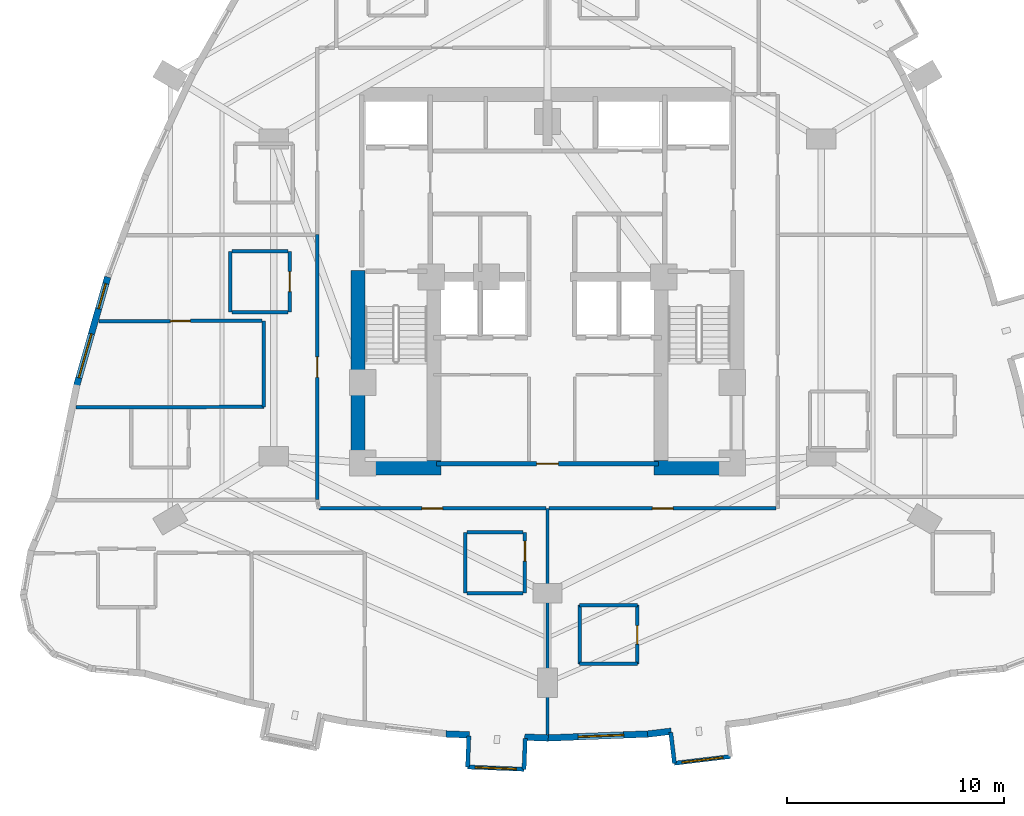
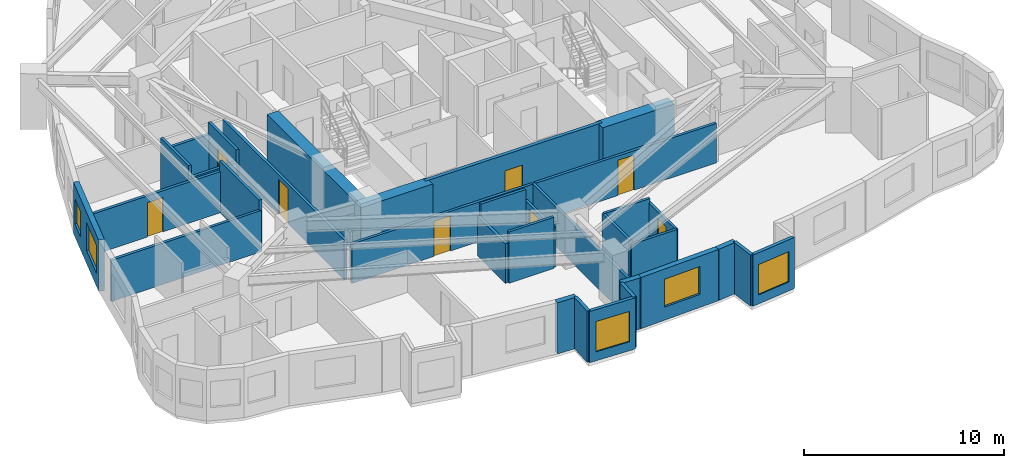
# One storey, part 8 of 14: 33 walls, 8 doors, 5 windows, 13 openings.
"""IFC4 building model written with IfcOpenShell, lengths in metres."""

import ifcopenshell
import ifcopenshell.guid

model = None  # the IFC model being written
_history = None  # IfcOwnerHistory: only IFC2X3 demands one
_inside = {}  # id of a spatial element -> (the spatial element, [elements in it])
_under = {}  # id of a project, library or spatial element -> (it, [spatial elements below it])
_declared = {}  # id of a project -> (the project, [libraries it declares])
_typed = {}  # id of a type object -> (the type object, [elements of that type])
_made_of = {}  # id of a material, layer set ... -> (it, [elements and type objects made of it])


def new_model(schema):
    """Start an empty IFC model of exactly this schema.

    Asked for "IFC4X3", IfcOpenShell would pick the latest addendum, in which some entities
    have other attributes; the version numbers below select the first issue.
    IFC2X3 requires an IfcOwnerHistory on every rooted entity: one is made here for all.
    """
    global model, _history
    if schema == "IFC4X3":
        model = ifcopenshell.file(schema_version=(4, 3, 0, 0))
    else:
        model = ifcopenshell.file(schema=schema)
    _inside.clear()
    _under.clear()
    _declared.clear()
    _typed.clear()
    _made_of.clear()
    _history = None
    if model.schema == "IFC2X3":
        org = make("IfcOrganization", Name="unknown")
        user = make(
            "IfcPersonAndOrganization",
            ThePerson=make("IfcPerson", FamilyName="unknown"),
            TheOrganization=org,
        )
        app = make(
            "IfcApplication",
            ApplicationDeveloper=org,
            Version="unknown",
            ApplicationFullName="unknown",
            ApplicationIdentifier="unknown",
        )
        _history = make(
            "IfcOwnerHistory",
            OwningUser=user,
            OwningApplication=app,
            ChangeAction="ADDED",
            CreationDate=0,
        )
    return model


def make(cls, **values):
    """One entity of the class cls with the attributes given. An attribute that is None is left unset."""
    return model.create_entity(
        cls, **{name: value for name, value in values.items() if value is not None}
    )


def rooted(cls, **values):
    """An entity with a GlobalId (a new one), such as an element, a storey or a relation."""
    return make(cls, GlobalId=ifcopenshell.guid.new(), OwnerHistory=_history, **values)


def si_unit(unit_type, name, prefix=None):
    """IfcSIUnit, for example si_unit("LENGTHUNIT", "METRE", prefix="MILLI")."""
    return make("IfcSIUnit", UnitType=unit_type, Prefix=prefix, Name=name)


def assignment(units):
    """IfcUnitAssignment: the units of a project."""
    return None if units is None else make("IfcUnitAssignment", Units=units)


def point(xyz):
    """IfcCartesianPoint."""
    return None if xyz is None else make("IfcCartesianPoint", Coordinates=xyz)


def direction(xyz):
    """IfcDirection."""
    return None if xyz is None else make("IfcDirection", DirectionRatios=xyz)


def frame(location, z_axis=None, x_axis=None):
    """IfcAxis2Placement3D, a coordinate frame: its origin and axes. An axis left out is left unset."""
    return make(
        "IfcAxis2Placement3D",
        Location=point(location),
        Axis=direction(z_axis),
        RefDirection=direction(x_axis),
    )


def frame_2d(location, x_axis=None):
    """IfcAxis2Placement2D, a coordinate frame in the plane: its origin and x axis."""
    return make(
        "IfcAxis2Placement2D", Location=point(location), RefDirection=direction(x_axis)
    )


def origin():
    """The frame at (0, 0, 0) with its axes left unset."""
    return frame((0.0, 0.0, 0.0))


def place(relative_to, where):
    """IfcLocalPlacement: puts the frame where relative to a parent placement (None: the world)."""
    return make(
        "IfcLocalPlacement", PlacementRelTo=relative_to, RelativePlacement=where
    )


def context(
    kind, dimensions, precision=None, world=None, true_north=None, identifier=None
):
    """IfcGeometricRepresentationContext, for example the 3D "Model" context."""
    return make(
        "IfcGeometricRepresentationContext",
        ContextIdentifier=identifier,
        ContextType=kind,
        CoordinateSpaceDimension=dimensions,
        Precision=precision,
        WorldCoordinateSystem=world,
        TrueNorth=true_north,
    )


def subcontext(parent, identifier, kind, view, scale=None):
    """IfcGeometricRepresentationSubContext, for example "Body" below "Model"."""
    return make(
        "IfcGeometricRepresentationSubContext",
        ContextIdentifier=identifier,
        ContextType=kind,
        ParentContext=parent,
        TargetScale=scale,
        TargetView=view,
    )


def project(units=None, contexts=None):
    """IfcProject with its units and contexts."""
    return rooted(
        "IfcProject",
        Name="project",
        RepresentationContexts=contexts,
        UnitsInContext=assignment(units),
    )


def spatial(cls, under=None, at=None, **own):
    """A site, building, storey or space (cls), placed at a placement, below another one or the project."""
    s = rooted(cls, ObjectPlacement=at, **own)
    if under is not None:
        _under.setdefault(under.id(), (under, []))[1].append(s)
    return s


def profile(cls, at=None, kind="AREA", **sizes):
    """A parametric profile (cls). Its sizes go by their IFC names, for example OverallWidth=200.0."""
    return make(cls, ProfileType=kind, Position=at, **sizes)


def rectangle(**sizes):
    """IfcRectangleProfileDef."""
    return profile("IfcRectangleProfileDef", **sizes)


def extrude(swept, where, along, depth):
    """IfcExtrudedAreaSolid: the profile swept, set in the frame where, extruded along a direction by depth."""
    return make(
        "IfcExtrudedAreaSolid",
        SweptArea=swept,
        Position=where,
        ExtrudedDirection=direction(along),
        Depth=depth,
    )


def shape(context_of_items, identifier, shape_type, items):
    """IfcShapeRepresentation: the items that make up one representation, for example the "Body"."""
    return make(
        "IfcShapeRepresentation",
        ContextOfItems=context_of_items,
        RepresentationIdentifier=identifier,
        RepresentationType=shape_type,
        Items=items,
    )


def material(Name=None, Category=None):
    """IfcMaterial."""
    return make("IfcMaterial", Name=Name, Category=Category)


def layer(
    of_material, thickness, ventilated=None, Name=None, Category=None, Priority=None
):
    """IfcMaterialLayer: one layer of a wall or slab, of a material (None: an air gap)."""
    return make(
        "IfcMaterialLayer",
        Material=of_material,
        LayerThickness=thickness,
        IsVentilated=ventilated,
        Name=Name,
        Category=Category,
        Priority=Priority,
    )


def layer_set(layers, Name=None):
    """IfcMaterialLayerSet."""
    return make("IfcMaterialLayerSet", MaterialLayers=layers, LayerSetName=Name)


def made_of(thing, what):
    """Note that an element or type object is made of a material, layer set ...; save() writes the relation."""
    if what is not None:
        _made_of.setdefault(what.id(), (what, []))[1].append(thing)
    return thing


def type_object(cls, material=None, **own):
    """A type object (cls), such as IfcWallType, which elements share."""
    return made_of(rooted(cls, **own), material)


def element(
    cls,
    number,
    at=None,
    inside=None,
    cuts=None,
    type_object=None,
    material=None,
    context=None,
    identifier="Body",
    shape_type=None,
    held_by="IfcProductDefinitionShape",
    body=None,
    shapes=None,
    **own,
):
    """One element of the class cls, such as IfcWall. Its Tag is "e" and its number.

    at: its placement. inside: the storey or other place that contains it. cuts: it is an
    opening in that element (IfcRelVoidsElement). A single representation is given by context,
    identifier, shape_type and body (its items); several are given by shapes. held_by: the class
    of the entity that holds the representations. save() writes the other relations.
    """
    e = rooted(cls, Tag="e%d" % number, ObjectPlacement=at, **own)
    if body is not None:
        shapes = [shape(context, identifier, shape_type, body)]
    if shapes is not None:
        e.Representation = make(held_by, Representations=shapes)
    if inside is not None:
        _inside.setdefault(inside.id(), (inside, []))[1].append(e)
    if cuts is not None:
        rooted(
            "IfcRelVoidsElement", RelatingBuildingElement=cuts, RelatedOpeningElement=e
        )
    if type_object is not None:
        _typed.setdefault(type_object.id(), (type_object, []))[1].append(e)
    return made_of(e, material)


def fill(opening, filler):
    """IfcRelFillsElement: the door or window that sits in an opening."""
    return rooted(
        "IfcRelFillsElement",
        RelatingOpeningElement=opening,
        RelatedBuildingElement=filler,
    )


def aggregate(whole, parts):
    """IfcRelAggregates: a whole, such as a stair, and the parts it consists of."""
    return rooted("IfcRelAggregates", RelatingObject=whole, RelatedObjects=parts)


def save(model, path):
    """Write the relations noted so far, then the file.

    IfcRelAggregates (storeys below a building ...), IfcRelContainedInSpatialStructure (elements
    in a storey), IfcRelDefinesByType, IfcRelAssociatesMaterial and IfcRelDeclares: one each for
    every whole, place, type object, material and project.
    """
    for whole, parts in _under.values():
        aggregate(whole, parts)
    for where, things in _inside.values():
        rooted(
            "IfcRelContainedInSpatialStructure",
            RelatedElements=things,
            RelatingStructure=where,
        )
    for kind, things in _typed.values():
        rooted("IfcRelDefinesByType", RelatedObjects=things, RelatingType=kind)
    for what, things in _made_of.values():
        rooted("IfcRelAssociatesMaterial", RelatedObjects=things, RelatingMaterial=what)
    for by, libraries in _declared.values():
        rooted("IfcRelDeclares", RelatingContext=by, RelatedDefinitions=libraries)
    model.write(path)


model = new_model("IFC4")

# Units and contexts
model_context = context("Model", 3, precision=1e-05, world=origin(), true_north=direction((0.0, 1.0)))
body_context = subcontext(model_context, "Body", "Model", "MODEL_VIEW")
ifc_project = project(units=[si_unit("LENGTHUNIT", "METRE"), si_unit("AREAUNIT", "SQUARE_METRE"), si_unit("VOLUMEUNIT", "CUBIC_METRE"), si_unit("PLANEANGLEUNIT", "RADIAN"), si_unit("MASSUNIT", "GRAM", prefix="KILO")], contexts=[model_context])

# Site, building, storey
site_placement = place(None, origin())
site = spatial("IfcSite", under=ifc_project, at=site_placement, CompositionType="ELEMENT")
building_placement = place(site_placement, origin())
building = spatial("IfcBuilding", under=site, at=building_placement, Name="Miruveldt Soraemaru", CompositionType="ELEMENT")
storey_placement = place(building_placement, frame((0.0, 0.0, 80.199951171875)))
storey = spatial("IfcBuildingStorey", under=building, at=storey_placement, Name="L22", CompositionType="ELEMENT", Elevation=80.199951171875)

# Walls
ifc_material_1 = material(Name="White powder-coated aluminium EN AW-6060 T6", Category="aluminium")
ifc_layer_1 = layer(ifc_material_1, 0.18994140625, Name="White powder-coated aluminium EN AW-6060 T6", Category="aluminium")
ifc_layer_set_1 = layer_set([ifc_layer_1], Name="White powder-coated aluminium EN AW-6060 T6")
wall_type_1 = type_object("IfcWallType", Name="WALL-BAY-ALU190", PredefinedType="SOLIDWALL", material=ifc_layer_set_1)
for number, where, z_axis, x_axis, name in (
    (1, (40.380615234375, 22.927734375, 0.0), (0.0, 0.0, 1.0), (-0.039920142234, -0.999202873417, 0.0), "L22 Bay Window Side Cheek 2L"),
    (2, (42.921630859375, 21.39990234375, 0.0), (0.0, 0.0, 1.0), (0.039920142234, 0.999202873417, 0.0), "L22 Bay Window Side Cheek 2R"),
):
    element("IfcWall", number, at=place(storey_placement, frame(where, z_axis=z_axis, x_axis=x_axis)), inside=storey, type_object=wall_type_1, Name=name, PredefinedType="SOLIDWALL", context=body_context, shape_type="SweptSolid", body=[
        extrude(rectangle(XDim=1.425048828125, YDim=0.18994140625, at=frame_2d((0.71240234375, 0.0))), origin(), (0.0, 0.0, 1.0), 3.125),
    ])

# Wall, opening, window
wall_1_placement = place(storey_placement, frame((40.32373046875, 21.50390625, 0.0), z_axis=(0.0, 0.0, 1.0), x_axis=(0.999199608139, -0.040001788654, 0.0)))
wall_1 = element("IfcWall", 3, at=wall_1_placement, inside=storey, type_object=wall_type_1, Name="L22 Bay Window Front Frame 2", PredefinedType="SOLIDWALL", context=body_context, shape_type="SweptSolid", body=[
    extrude(rectangle(XDim=2.60009765625, YDim=0.18994140625, at=frame_2d((1.300048828125, 0.0))), origin(), (0.0, 0.0, 1.0), 3.125),
])
opening_1_placement = place(wall_1_placement, frame((0.35009765625, 0.0, 0.550048828125)))
opening_1 = element("IfcOpeningElement", 4, at=opening_1_placement, cuts=wall_1, Name="Opening WN-6", PredefinedType="OPENING", context=body_context, shape_type="SweptSolid", body=[
    extrude(rectangle(XDim=1.89990234375, YDim=1.85009765625, at=frame_2d((0.949951171875, 0.925048828125))), frame((0.0, 0.10498046875, 0.0), z_axis=(0.0, -1.0, 0.0), x_axis=(1.0, 0.0, 0.0)), (0.0, 0.0, 1.0), 0.2099609375),
])
ifc_material_2 = material(Name="Triple low-e insulated glazing", Category="glass")
window_type_1 = type_object("IfcWindowType", Name="WIN-BAYW-1900x1850", PartitioningType="SINGLE_PANEL", PredefinedType="WINDOW", material=ifc_material_2)
window_1_placement = place(opening_1_placement, origin())
window_1 = element("IfcWindow", 5, at=window_1_placement, inside=storey, type_object=window_type_1, Name="L22 Projecting Bay Window 2", OverallHeight=1.85009765625, OverallWidth=1.89990234375, PartitioningType="SINGLE_PANEL", PredefinedType="WINDOW", context=body_context, shape_type="SweptSolid", body=[
    extrude(rectangle(XDim=1.89990234375, YDim=1.85009765625, at=frame_2d((0.949951171875, 0.925048828125))), frame((0.0, 0.030029296875, 0.0), z_axis=(0.0, -1.0, 0.0), x_axis=(1.0, 0.0, 0.0)), (0.0, 0.0, 1.0), 0.06005859375),
])
fill(opening_1, window_1)

# Wall
wall_2_placement = place(storey_placement, frame((49.67041015625, 23.09228515625, 0.0), z_axis=(0.0, 0.0, 1.0), x_axis=(0.119057405757, -0.992887372331, 0.0)))
element("IfcWall", 6, at=wall_2_placement, inside=storey, type_object=wall_type_1, Name="L22 Bay Window Side Cheek 3L", PredefinedType="SOLIDWALL", context=body_context, shape_type="SweptSolid", body=[
    extrude(rectangle(XDim=1.42529296875, YDim=0.18994140625, at=frame_2d((0.712646484375, 0.0))), origin(), (0.0, 0.0, 1.0), 3.125),
])

# Wall, opening, window
wall_3_placement = place(storey_placement, frame((49.840087890625, 21.67724609375, 0.0), z_axis=(0.0, 0.0, 1.0), x_axis=(0.992874172121, 0.119167438232, 0.0)))
wall_3 = element("IfcWall", 7, at=wall_3_placement, inside=storey, type_object=wall_type_1, Name="L22 Bay Window Front Frame 3", PredefinedType="SOLIDWALL", context=body_context, shape_type="SweptSolid", body=[
    extrude(rectangle(XDim=2.599853515625, YDim=0.18994140625, at=frame_2d((1.2998046875, 0.0))), origin(), (0.0, 0.0, 1.0), 3.125),
])
opening_2_placement = place(wall_3_placement, frame((0.35009765625, 0.0, 0.550048828125)))
opening_2 = element("IfcOpeningElement", 8, at=opening_2_placement, cuts=wall_3, Name="Opening WN-6", PredefinedType="OPENING", context=body_context, shape_type="SweptSolid", body=[
    extrude(rectangle(XDim=1.89990234375, YDim=1.85009765625, at=frame_2d((0.949951171875, 0.925048828125))), frame((0.0, 0.10498046875, 0.0), z_axis=(0.0, -1.0, 0.0), x_axis=(1.0, 0.0, 0.0)), (0.0, 0.0, 1.0), 0.2099609375),
])
window_2_placement = place(opening_2_placement, origin())
window_2 = element("IfcWindow", 9, at=window_2_placement, inside=storey, type_object=window_type_1, Name="L22 Projecting Bay Window 3", OverallHeight=1.85009765625, OverallWidth=1.89990234375, PartitioningType="SINGLE_PANEL", PredefinedType="WINDOW", context=body_context, shape_type="SweptSolid", body=[
    extrude(rectangle(XDim=1.89990234375, YDim=1.85009765625, at=frame_2d((0.949951171875, 0.925048828125))), frame((0.0, 0.030029296875, 0.0), z_axis=(0.0, -1.0, 0.0), x_axis=(1.0, 0.0, 0.0)), (0.0, 0.0, 1.0), 0.06005859375),
])
fill(opening_2, window_2)

# Walls
ifc_material_3 = material(Name="Concrete C80/95 (80 MPa)", Category="concrete")
ifc_layer_2 = layer(ifc_material_3, 0.64990234375, Name="Concrete C80/95 (80 MPa)", Category="concrete")
ifc_layer_set_2 = layer_set([ifc_layer_2], Name="Concrete C80/95 (80 MPa)")
wall_type_2 = type_object("IfcWallType", Name="WALL-CW-650", PredefinedType="SHEAR", material=ifc_layer_set_2)
for number, where, z_axis, x_axis, name in (
    (10, (34.949951171875, 35.27490234375, 0.0), (0.0, 0.0, 1.0), (1.0, 0.0, 0.0), "L22 Central Core Shear Wall S1"),
    (11, (48.89990234375, 35.27490234375, 0.0), (0.0, 0.0, 1.0), (1.0, 0.0, 0.0), "L22 Central Core Shear Wall S2"),
):
    element("IfcWall", number, at=place(storey_placement, frame(where, z_axis=z_axis, x_axis=x_axis)), inside=storey, type_object=wall_type_2, Name=name, PredefinedType="SHEAR", context=body_context, shape_type="SweptSolid", body=[
        extrude(rectangle(XDim=4.150146484375, YDim=0.64990234375, at=frame_2d((2.0751953125, 0.0))), origin(), (0.0, 0.0, 1.0), 3.125),
    ])
wall_4_placement = place(storey_placement, frame((35.27490234375, 34.949951171875, 0.0), z_axis=(0.0, 0.0, 1.0), x_axis=(0.0, 1.0, 0.0)))
element("IfcWall", 12, at=wall_4_placement, inside=storey, type_object=wall_type_2, Name="L22 Central Core Shear Wall W1", PredefinedType="SHEAR", context=body_context, shape_type="SweptSolid", body=[
    extrude(rectangle(XDim=9.400146484375, YDim=0.64990234375, at=frame_2d((4.7001953125, 0.0))), origin(), (0.0, 0.0, 1.0), 3.125),
])

# Wall, openings, windows
ifc_material_4 = material(Name="Precast concrete C45/55 (45 MPa)", Category="concrete")
ifc_layer_3 = layer(ifc_material_4, 0.300048828125, Name="Precast concrete C45/55 (45 MPa)", Category="concrete")
ifc_layer_set_3 = layer_set([ifc_layer_3], Name="Precast concrete C45/55 (45 MPa)")
wall_type_3 = type_object("IfcWallType", Name="WALL-EXT-PC300", PredefinedType="SOLIDWALL", material=ifc_layer_set_3)
wall_5_placement = place(storey_placement, frame((23.764404296875, 44.0498046875, 0.0), z_axis=(0.0, 0.0, 1.0), x_axis=(-0.274924595384, -0.961465790787, 0.0)))
wall_5 = element("IfcWall", 13, at=wall_5_placement, inside=storey, type_object=wall_type_3, Name="L22 Precast Concrete Facade Wall 13", PredefinedType="SOLIDWALL", context=body_context, shape_type="SweptSolid", body=[
    extrude(rectangle(XDim=5.2294921875, YDim=0.300048828125, at=frame_2d((2.61474609375, 0.0))), origin(), (0.0, 0.0, 1.0), 3.125),
])
opening_3_placement = place(wall_5_placement, frame((0.31591796875, 0.0, 0.780029296875)))
opening_3 = element("IfcOpeningElement", 14, at=opening_3_placement, cuts=wall_5, Name="Opening WN-4", PredefinedType="OPENING", context=body_context, shape_type="SweptSolid", body=[
    extrude(rectangle(XDim=1.199951171875, YDim=1.550048828125, at=frame_2d((0.60009765625, 0.77490234375))), frame((0.0, 0.16015625, 0.0), z_axis=(0.0, -1.0, 0.0), x_axis=(1.0, 0.0, 0.0)), (0.0, 0.0, 1.0), 0.320068359375),
])
opening_4_placement = place(wall_5_placement, frame((2.720947265625, 0.0, 0.800048828125)))
opening_4 = element("IfcOpeningElement", 15, at=opening_4_placement, cuts=wall_5, Name="Opening WN-1", PredefinedType="OPENING", context=body_context, shape_type="SweptSolid", body=[
    extrude(rectangle(XDim=2.10009765625, YDim=1.699951171875, at=frame_2d((1.050048828125, 0.85009765625))), frame((0.0, 0.16015625, 0.0), z_axis=(0.0, -1.0, 0.0), x_axis=(1.0, 0.0, 0.0)), (0.0, 0.0, 1.0), 0.320068359375),
])
window_type_2 = type_object("IfcWindowType", Name="WIN-PUNCH-1200x1550", PartitioningType="SINGLE_PANEL", PredefinedType="WINDOW", material=ifc_material_2)
window_3_placement = place(opening_3_placement, origin())
window_3 = element("IfcWindow", 16, at=window_3_placement, inside=storey, type_object=window_type_2, Name="L22 Punched Triple-Glazed Window 13.1", OverallHeight=1.550048828125, OverallWidth=1.199951171875, PartitioningType="SINGLE_PANEL", PredefinedType="WINDOW", context=body_context, shape_type="SweptSolid", body=[
    extrude(rectangle(XDim=1.199951171875, YDim=1.550048828125, at=frame_2d((0.60009765625, 0.77490234375))), frame((0.0, 0.030029296875, 0.0), z_axis=(0.0, -1.0, 0.0), x_axis=(1.0, 0.0, 0.0)), (0.0, 0.0, 1.0), 0.06005859375),
])
fill(opening_3, window_3)
window_type_3 = type_object("IfcWindowType", Name="WIN-PUNCH-2100x1700", PartitioningType="SINGLE_PANEL", PredefinedType="WINDOW", material=ifc_material_2)
window_4_placement = place(opening_4_placement, origin())
window_4 = element("IfcWindow", 17, at=window_4_placement, inside=storey, type_object=window_type_3, Name="L22 Punched Triple-Glazed Window 13.2", OverallHeight=1.699951171875, OverallWidth=2.10009765625, PartitioningType="SINGLE_PANEL", PredefinedType="WINDOW", context=body_context, shape_type="SweptSolid", body=[
    extrude(rectangle(XDim=2.10009765625, YDim=1.699951171875, at=frame_2d((1.050048828125, 0.85009765625))), frame((0.0, 0.030029296875, 0.0), z_axis=(0.0, -1.0, 0.0), x_axis=(1.0, 0.0, 0.0)), (0.0, 0.0, 1.0), 0.06005859375),
])
fill(opening_4, window_4)

# Walls
for number, where, z_axis, x_axis, name in (
    (18, (39.32861328125, 23.02490234375, 0.0), (0.0, 0.0, 1.0), (0.999197720713, -0.040048906617, 0.0), "L22 Precast Pier Wall 24A"),
    (19, (42.95068359375, 22.8798828125, 0.0), (0.0, 0.0, 1.0), (0.999206699072, -0.0398242706, 0.0), "L22 Precast Pier Wall 24B"),
):
    element("IfcWall", number, at=place(storey_placement, frame(where, z_axis=z_axis, x_axis=x_axis)), inside=storey, type_object=wall_type_3, Name=name, PredefinedType="SOLIDWALL", context=body_context, shape_type="SweptSolid", body=[
        extrude(rectangle(XDim=1.085205078125, YDim=0.300048828125, at=frame_2d((0.54248046875, 0.0))), origin(), (0.0, 0.0, 1.0), 3.125),
    ])

# Wall, opening, window
wall_6_placement = place(storey_placement, frame((43.965087890625, 22.836669921875, 0.0), z_axis=(0.0, 0.0, 1.0), x_axis=(0.999201124317, 0.039963898265, 0.0)))
wall_6 = element("IfcWall", 20, at=wall_6_placement, inside=storey, type_object=wall_type_3, Name="L22 Precast Concrete Facade Wall 25", PredefinedType="SOLIDWALL", context=body_context, shape_type="SweptSolid", body=[
    extrude(rectangle(XDim=4.7099609375, YDim=0.300048828125, at=frame_2d((2.35498046875, 0.0))), origin(), (0.0, 0.0, 1.0), 3.125),
])
opening_5_placement = place(wall_6_placement, frame((1.446044921875, 0.0, 0.800048828125)))
opening_5 = element("IfcOpeningElement", 21, at=opening_5_placement, cuts=wall_6, Name="Opening WN-1", PredefinedType="OPENING", context=body_context, shape_type="SweptSolid", body=[
    extrude(rectangle(XDim=2.10009765625, YDim=1.699951171875, at=frame_2d((1.050048828125, 0.85009765625))), frame((0.0, 0.16015625, 0.0), z_axis=(0.0, -1.0, 0.0), x_axis=(1.0, 0.0, 0.0)), (0.0, 0.0, 1.0), 0.320068359375),
])
window_5_placement = place(opening_5_placement, origin())
window_5 = element("IfcWindow", 22, at=window_5_placement, inside=storey, type_object=window_type_3, Name="L22 Punched Triple-Glazed Window 25.1", OverallHeight=1.699951171875, OverallWidth=2.10009765625, PartitioningType="SINGLE_PANEL", PredefinedType="WINDOW", context=body_context, shape_type="SweptSolid", body=[
    extrude(rectangle(XDim=2.10009765625, YDim=1.699951171875, at=frame_2d((1.050048828125, 0.85009765625))), frame((0.0, 0.030029296875, 0.0), z_axis=(0.0, -1.0, 0.0), x_axis=(1.0, 0.0, 0.0)), (0.0, 0.0, 1.0), 0.06005859375),
])
fill(opening_5, window_5)

# Wall
wall_7_placement = place(storey_placement, frame((48.6015625, 23.019287109375, 0.0), z_axis=(0.0, 0.0, 1.0), x_axis=(0.992870535119, 0.119197736946, 0.0)))
element("IfcWall", 23, at=wall_7_placement, inside=storey, type_object=wall_type_3, Name="L22 Precast Pier Wall 26A", PredefinedType="SOLIDWALL", context=body_context, shape_type="SweptSolid", body=[
    extrude(rectangle(XDim=1.099853515625, YDim=0.300048828125, at=frame_2d((0.5498046875, 0.0))), origin(), (0.0, 0.0, 1.0), 3.125),
])

# Wall, opening, door
ifc_material_5 = material(Name="Gypsum plasterboard lining", Category="gypsum")
ifc_layer_4 = layer(ifc_material_5, 0.14990234375, Name="Gypsum plasterboard lining", Category="gypsum")
ifc_layer_set_4 = layer_set([ifc_layer_4], Name="Gypsum plasterboard lining")
wall_type_4 = type_object("IfcWallType", Name="WALL-INT-PLUMB", PredefinedType="PLUMBINGWALL", material=ifc_layer_set_4)
wall_8_placement = place(storey_placement, frame((48.1298828125, 26.25, 0.0), z_axis=(0.0, 0.0, 1.0), x_axis=(0.0, 1.0, 0.0)))
wall_8 = element("IfcWall", 24, at=wall_8_placement, inside=storey, type_object=wall_type_4, Name="L22 Partition Wall 77", PredefinedType="PLUMBINGWALL", context=body_context, shape_type="SweptSolid", body=[
    extrude(rectangle(XDim=2.699951171875, YDim=0.14990234375, at=frame_2d((1.35009765625, 0.0))), origin(), (0.0, 0.0, 1.0), 2.512939453125),
])
opening_6_placement = place(wall_8_placement, frame((0.909912109375, 0.0, 0.0)))
opening_6 = element("IfcOpeningElement", 25, at=opening_6_placement, cuts=wall_8, Name="Opening FD3", PredefinedType="OPENING", context=body_context, shape_type="SweptSolid", body=[
    extrude(rectangle(XDim=0.85009765625, YDim=2.10009765625, at=frame_2d((0.425048828125, 1.050048828125))), frame((0.0, 0.0849609375, 0.0), z_axis=(0.0, -1.0, 0.0), x_axis=(1.0, 0.0, 0.0)), (0.0, 0.0, 1.0), 0.169921875),
])
ifc_material_6 = material(Name="Anodised aluminium EN AW-6063 T6", Category="aluminium")
door_type_1 = type_object("IfcDoorType", Name="DOOR-FD3-850", OperationType="NOTDEFINED", PredefinedType="DOOR", material=ifc_material_6)
door_1_placement = place(opening_6_placement, origin())
door_1 = element("IfcDoor", 26, at=door_1_placement, inside=storey, type_object=door_type_1, Name="L22 Unit CL07 BTH Door", OperationType="SINGLE_SWING_LEFT", OverallHeight=2.10009765625, OverallWidth=0.85009765625, PredefinedType="DOOR", context=body_context, shape_type="SweptSolid", body=[
    extrude(rectangle(XDim=0.85009765625, YDim=2.10009765625, at=frame_2d((0.425048828125, 1.050048828125))), frame((0.0, 0.02490234375, 0.0), z_axis=(0.0, -1.0, 0.0), x_axis=(1.0, 0.0, 0.0)), (0.0, 0.0, 1.0), 0.050048828125),
])
fill(opening_6, door_1)

# Walls
wall_9_placement = place(storey_placement, frame((45.47998046875, 28.949951171875, 0.0), z_axis=(0.0, 0.0, 1.0), x_axis=(0.0, -1.0, 0.0)))
element("IfcWall", 27, at=wall_9_placement, inside=storey, type_object=wall_type_4, Name="L22 Partition Wall 79", PredefinedType="PLUMBINGWALL", context=body_context, shape_type="SweptSolid", body=[
    extrude(rectangle(XDim=2.699951171875, YDim=0.14990234375, at=frame_2d((1.35009765625, 0.0))), origin(), (0.0, 0.0, 1.0), 2.762939453125),
])
wall_10_placement = place(storey_placement, frame((48.1298828125, 28.949951171875, 0.0), z_axis=(0.0, 0.0, 1.0), x_axis=(-1.0, 0.0, 0.0)))
element("IfcWall", 28, at=wall_10_placement, inside=storey, type_object=wall_type_4, Name="L22 Partition Wall 78", PredefinedType="PLUMBINGWALL", context=body_context, shape_type="SweptSolid", body=[
    extrude(rectangle(XDim=2.64990234375, YDim=0.14990234375, at=frame_2d((1.324951171875, 0.0))), origin(), (0.0, 0.0, 1.0), 2.762939453125),
])
wall_11_placement = place(storey_placement, frame((45.47998046875, 26.25, 0.0), z_axis=(0.0, 0.0, 1.0), x_axis=(1.0, 0.0, 0.0)))
element("IfcWall", 29, at=wall_11_placement, inside=storey, type_object=wall_type_4, Name="L22 Partition Wall 80", PredefinedType="PLUMBINGWALL", context=body_context, shape_type="SweptSolid", body=[
    extrude(rectangle(XDim=2.64990234375, YDim=0.14990234375, at=frame_2d((1.324951171875, 0.0))), origin(), (0.0, 0.0, 1.0), 2.512939453125),
])

# Wall, opening, door
ifc_material_7 = material(Name="Concrete C40/50 (40 MPa)", Category="concrete")
ifc_layer_5 = layer(ifc_material_7, 0.159912109375, Name="Concrete C40/50 (40 MPa)", Category="concrete")
ifc_layer_set_5 = layer_set([ifc_layer_5], Name="Concrete C40/50 (40 MPa)")
wall_type_5 = type_object("IfcWallType", Name="WALL-INT-RC160", PredefinedType="SOLIDWALL", material=ifc_layer_set_5)
wall_12_placement = place(storey_placement, frame((33.39990234375, 45.9970703125, 0.0), z_axis=(0.0, 0.0, 1.0), x_axis=(0.0, -1.0, 0.0)))
wall_12 = element("IfcWall", 30, at=wall_12_placement, inside=storey, type_object=wall_type_5, Name="L22 Partition Wall 10", PredefinedType="SOLIDWALL", context=body_context, shape_type="SweptSolid", body=[
    extrude(rectangle(XDim=12.190185546875, YDim=0.159912109375, at=frame_2d((6.09521484375, 0.0))), origin(), (0.0, 0.0, 1.0), 2.4130859375),
])
opening_7_placement = place(wall_12_placement, frame((5.6201171875, 0.0, 0.0)))
opening_7 = element("IfcOpeningElement", 31, at=opening_7_placement, cuts=wall_12, Name="Opening FD2", PredefinedType="OPENING", context=body_context, shape_type="SweptSolid", body=[
    extrude(rectangle(XDim=0.949951171875, YDim=2.14990234375, at=frame_2d((0.47509765625, 1.074951171875))), frame((0.0, 0.08984375, 0.0), z_axis=(0.0, -1.0, 0.0), x_axis=(1.0, 0.0, 0.0)), (0.0, 0.0, 1.0), 0.179931640625),
])
door_type_2 = type_object("IfcDoorType", Name="DOOR-FD2-950", OperationType="NOTDEFINED", PredefinedType="DOOR", material=ifc_material_6)
door_2_placement = place(opening_7_placement, origin())
door_2 = element("IfcDoor", 32, at=door_2_placement, inside=storey, type_object=door_type_2, Name="L22 Unit 2206 Entrance Fire Door", OperationType="SINGLE_SWING_RIGHT", OverallHeight=2.14990234375, OverallWidth=0.949951171875, PredefinedType="DOOR", context=body_context, shape_type="SweptSolid", body=[
    extrude(rectangle(XDim=0.949951171875, YDim=2.14990234375, at=frame_2d((0.47509765625, 1.074951171875))), frame((0.0, 0.02490234375, 0.0), z_axis=(0.0, -1.0, 0.0), x_axis=(1.0, 0.0, 0.0)), (0.0, 0.0, 1.0), 0.050048828125),
])
fill(opening_7, door_2)

wall_13_placement = place(storey_placement, frame((33.47998046875, 33.39990234375, 0.0), z_axis=(0.0, 0.0, 1.0), x_axis=(1.0, 0.0, 0.0)))
wall_13 = element("IfcWall", 33, at=wall_13_placement, inside=storey, type_object=wall_type_5, Name="L22 Partition Wall 9", PredefinedType="SOLIDWALL", context=body_context, shape_type="SweptSolid", body=[
    extrude(rectangle(XDim=10.43994140625, YDim=0.159912109375, at=frame_2d((5.219970703125, 0.0))), origin(), (0.0, 0.0, 1.0), 2.4130859375),
])
opening_8_placement = place(wall_13_placement, frame((4.7451171875, 0.0, 0.0)))
opening_8 = element("IfcOpeningElement", 34, at=opening_8_placement, cuts=wall_13, Name="Opening FD2", PredefinedType="OPENING", context=body_context, shape_type="SweptSolid", body=[
    extrude(rectangle(XDim=0.949951171875, YDim=2.14990234375, at=frame_2d((0.47509765625, 1.074951171875))), frame((0.0, 0.08984375, 0.0), z_axis=(0.0, -1.0, 0.0), x_axis=(1.0, 0.0, 0.0)), (0.0, 0.0, 1.0), 0.179931640625),
])
door_3_placement = place(opening_8_placement, origin())
door_3 = element("IfcDoor", 35, at=door_3_placement, inside=storey, type_object=door_type_2, Name="L22 Unit 2205 Entrance Fire Door", OperationType="SINGLE_SWING_RIGHT", OverallHeight=2.14990234375, OverallWidth=0.949951171875, PredefinedType="DOOR", context=body_context, shape_type="SweptSolid", body=[
    extrude(rectangle(XDim=0.949951171875, YDim=2.14990234375, at=frame_2d((0.47509765625, 1.074951171875))), frame((0.0, 0.02490234375, 0.0), z_axis=(0.0, -1.0, 0.0), x_axis=(1.0, 0.0, 0.0)), (0.0, 0.0, 1.0), 0.050048828125),
])
fill(opening_8, door_3)

wall_14_placement = place(storey_placement, frame((44.080078125, 33.39990234375, 0.0), z_axis=(0.0, 0.0, 1.0), x_axis=(1.0, 0.0, 0.0)))
wall_14 = element("IfcWall", 36, at=wall_14_placement, inside=storey, type_object=wall_type_5, Name="L22 Partition Wall 11", PredefinedType="SOLIDWALL", context=body_context, shape_type="SweptSolid", body=[
    extrude(rectangle(XDim=10.43994140625, YDim=0.159912109375, at=frame_2d((5.219970703125, 0.0))), origin(), (0.0, 0.0, 1.0), 2.4130859375),
])
opening_9_placement = place(wall_14_placement, frame((4.7451171875, 0.0, 0.0)))
opening_9 = element("IfcOpeningElement", 37, at=opening_9_placement, cuts=wall_14, Name="Opening FD2", PredefinedType="OPENING", context=body_context, shape_type="SweptSolid", body=[
    extrude(rectangle(XDim=0.949951171875, YDim=2.14990234375, at=frame_2d((0.47509765625, 1.074951171875))), frame((0.0, 0.08984375, 0.0), z_axis=(0.0, -1.0, 0.0), x_axis=(1.0, 0.0, 0.0)), (0.0, 0.0, 1.0), 0.179931640625),
])
door_4_placement = place(opening_9_placement, origin())
door_4 = element("IfcDoor", 38, at=door_4_placement, inside=storey, type_object=door_type_2, Name="L22 Unit CL07 Entrance Fire Door", OperationType="SINGLE_SWING_RIGHT", OverallHeight=2.14990234375, OverallWidth=0.949951171875, PredefinedType="DOOR", context=body_context, shape_type="SweptSolid", body=[
    extrude(rectangle(XDim=0.949951171875, YDim=2.14990234375, at=frame_2d((0.47509765625, 1.074951171875))), frame((0.0, 0.02490234375, 0.0), z_axis=(0.0, -1.0, 0.0), x_axis=(1.0, 0.0, 0.0)), (0.0, 0.0, 1.0), 0.050048828125),
])
fill(opening_9, door_4)

wall_15_placement = place(storey_placement, frame((23.35400390625, 42.012939453125, 0.0), z_axis=(0.0, 0.0, 1.0), x_axis=(0.999995338602, 0.003053321699, 0.0)))
wall_15 = element("IfcWall", 39, at=wall_15_placement, inside=storey, type_object=wall_type_5, Name="L22 Partition Wall 75", PredefinedType="SOLIDWALL", context=body_context, shape_type="SweptSolid", body=[
    extrude(rectangle(XDim=7.51611328125, YDim=0.159912109375, at=frame_2d((3.758056640625, 0.0))), origin(), (0.0, 0.0, 1.0), 2.512939453125),
])
opening_10_placement = place(wall_15_placement, frame((3.298095703125, 0.0, 0.0)))
opening_10 = element("IfcOpeningElement", 40, at=opening_10_placement, cuts=wall_15, Name="Opening D3A", PredefinedType="OPENING", context=body_context, shape_type="SweptSolid", body=[
    extrude(rectangle(XDim=0.919921875, YDim=2.10009765625, at=frame_2d((0.4599609375, 1.050048828125))), frame((0.0, 0.08984375, 0.0), z_axis=(0.0, -1.0, 0.0), x_axis=(1.0, 0.0, 0.0)), (0.0, 0.0, 1.0), 0.179931640625),
])
door_type_3 = type_object("IfcDoorType", Name="DOOR-INT-920", OperationType="NOTDEFINED", PredefinedType="DOOR", material=ifc_material_6)
door_5_placement = place(opening_10_placement, origin())
door_5 = element("IfcDoor", 41, at=door_5_placement, inside=storey, type_object=door_type_3, Name="L22 Unit 2206 BD1 Door", OperationType="SINGLE_SWING_LEFT", OverallHeight=2.10009765625, OverallWidth=0.919921875, PredefinedType="DOOR", context=body_context, shape_type="SweptSolid", body=[
    extrude(rectangle(XDim=0.919921875, YDim=2.10009765625, at=frame_2d((0.4599609375, 1.050048828125))), frame((0.0, 0.02490234375, 0.0), z_axis=(0.0, -1.0, 0.0), x_axis=(1.0, 0.0, 0.0)), (0.0, 0.0, 1.0), 0.050048828125),
])
fill(opening_10, door_5)

wall_16_placement = place(storey_placement, frame((32.14501953125, 42.43408203125, 0.0), z_axis=(0.0, 0.0, 1.0), x_axis=(0.0, 1.0, 0.0)))
wall_16 = element("IfcWall", 42, at=wall_16_placement, inside=storey, type_object=wall_type_5, Name="L22 Partition Wall 71", PredefinedType="SOLIDWALL", context=body_context, shape_type="SweptSolid", body=[
    extrude(rectangle(XDim=2.7998046875, YDim=0.159912109375, at=frame_2d((1.39990234375, 0.0))), origin(), (0.0, 0.0, 1.0), 3.125),
])
opening_11_placement = place(wall_16_placement, frame((0.93994140625, 0.0, 0.0)))
opening_11 = element("IfcOpeningElement", 43, at=opening_11_placement, cuts=wall_16, Name="Opening D3A", PredefinedType="OPENING", context=body_context, shape_type="SweptSolid", body=[
    extrude(rectangle(XDim=0.919921875, YDim=2.10009765625, at=frame_2d((0.4599609375, 1.050048828125))), frame((0.0, 0.08984375, 0.0), z_axis=(0.0, -1.0, 0.0), x_axis=(1.0, 0.0, 0.0)), (0.0, 0.0, 1.0), 0.179931640625),
])
door_6_placement = place(opening_11_placement, origin())
door_6 = element("IfcDoor", 44, at=door_6_placement, inside=storey, type_object=door_type_3, Name="L22 Unit 2206 KIT Door", OperationType="SINGLE_SWING_RIGHT", OverallHeight=2.10009765625, OverallWidth=0.919921875, PredefinedType="DOOR", context=body_context, shape_type="SweptSolid", body=[
    extrude(rectangle(XDim=0.919921875, YDim=2.10009765625, at=frame_2d((0.4599609375, 1.050048828125))), frame((0.0, 0.02490234375, 0.0), z_axis=(0.0, -1.0, 0.0), x_axis=(1.0, 0.0, 0.0)), (0.0, 0.0, 1.0), 0.050048828125),
])
fill(opening_11, door_6)

wall_17_placement = place(storey_placement, frame((42.964111328125, 29.5, 0.0), z_axis=(0.0, 0.0, 1.0), x_axis=(0.0, 1.0, 0.0)))
wall_17 = element("IfcWall", 45, at=wall_17_placement, inside=storey, type_object=wall_type_5, Name="L22 Partition Wall 52", PredefinedType="SOLIDWALL", context=body_context, shape_type="SweptSolid", body=[
    extrude(rectangle(XDim=2.800048828125, YDim=0.159912109375, at=frame_2d((1.39990234375, 0.0))), origin(), (0.0, 0.0, 1.0), 2.4130859375),
])
opening_12_placement = place(wall_17_placement, frame((1.47998046875, 0.0, 0.0)))
opening_12 = element("IfcOpeningElement", 46, at=opening_12_placement, cuts=wall_17, Name="Opening D3A", PredefinedType="OPENING", context=body_context, shape_type="SweptSolid", body=[
    extrude(rectangle(XDim=0.919921875, YDim=2.10009765625, at=frame_2d((0.4599609375, 1.050048828125))), frame((0.0, 0.08984375, 0.0), z_axis=(0.0, -1.0, 0.0), x_axis=(1.0, 0.0, 0.0)), (0.0, 0.0, 1.0), 0.179931640625),
])
door_7_placement = place(opening_12_placement, origin())
door_7 = element("IfcDoor", 47, at=door_7_placement, inside=storey, type_object=door_type_3, Name="L22 Unit 2205 KIT Door", OperationType="SINGLE_SWING_RIGHT", OverallHeight=2.10009765625, OverallWidth=0.919921875, PredefinedType="DOOR", context=body_context, shape_type="SweptSolid", body=[
    extrude(rectangle(XDim=0.919921875, YDim=2.10009765625, at=frame_2d((0.4599609375, 1.050048828125))), frame((0.0, 0.02490234375, 0.0), z_axis=(0.0, -1.0, 0.0), x_axis=(1.0, 0.0, 0.0)), (0.0, 0.0, 1.0), 0.050048828125),
])
fill(opening_12, door_7)

# Walls
wall_18_placement = place(storey_placement, frame((44.0, 23.0029296875, 0.0), z_axis=(0.0, 0.0, 1.0), x_axis=(0.0, 1.0, 0.0)))
element("IfcWall", 48, at=wall_18_placement, inside=storey, type_object=wall_type_5, Name="L22 Partition Wall 61", PredefinedType="SOLIDWALL", context=body_context, shape_type="SweptSolid", body=[
    extrude(rectangle(XDim=10.39697265625, YDim=0.159912109375, at=frame_2d((5.198486328125, 0.0))), origin(), (0.0, 0.0, 1.0), 2.4130859375),
])
wall_19_placement = place(storey_placement, frame((30.949951171875, 38.072998046875, 0.0), z_axis=(0.0, 0.0, 1.0), x_axis=(-0.999998048698, -0.001975499899, 0.0)))
element("IfcWall", 49, at=wall_19_placement, inside=storey, type_object=wall_type_5, Name="L22 Partition Wall 99", PredefinedType="SOLIDWALL", context=body_context, shape_type="SweptSolid", body=[
    extrude(rectangle(XDim=8.65087890625, YDim=0.159912109375, at=frame_2d((4.325439453125, 0.0))), origin(), (0.0, 0.0, 1.0), 2.512939453125),
])
wall_20_placement = place(storey_placement, frame((30.949951171875, 42.035888671875, 0.0), z_axis=(0.0, 0.0, 1.0), x_axis=(0.0, -1.0, 0.0)))
element("IfcWall", 50, at=wall_20_placement, inside=storey, type_object=wall_type_5, Name="L22 Partition Wall 76", PredefinedType="SOLIDWALL", context=body_context, shape_type="SweptSolid", body=[
    extrude(rectangle(XDim=3.962890625, YDim=0.159912109375, at=frame_2d((1.9814453125, 0.0))), origin(), (0.0, 0.0, 1.0), 3.125),
])
wall_21_placement = place(storey_placement, frame((29.39501953125, 45.23388671875, 0.0), z_axis=(0.0, 0.0, 1.0), x_axis=(0.0, -1.0, 0.0)))
element("IfcWall", 51, at=wall_21_placement, inside=storey, type_object=wall_type_5, Name="L22 Partition Wall 73", PredefinedType="SOLIDWALL", context=body_context, shape_type="SweptSolid", body=[
    extrude(rectangle(XDim=2.7998046875, YDim=0.159912109375, at=frame_2d((1.39990234375, 0.0))), origin(), (0.0, 0.0, 1.0), 3.125),
])
wall_22_placement = place(storey_placement, frame((40.214111328125, 32.300048828125, 0.0), z_axis=(0.0, 0.0, 1.0), x_axis=(0.0, -1.0, 0.0)))
element("IfcWall", 52, at=wall_22_placement, inside=storey, type_object=wall_type_5, Name="L22 Partition Wall 54", PredefinedType="SOLIDWALL", context=body_context, shape_type="SweptSolid", body=[
    extrude(rectangle(XDim=2.800048828125, YDim=0.159912109375, at=frame_2d((1.39990234375, 0.0))), origin(), (0.0, 0.0, 1.0), 2.4130859375),
])
for number, where, z_axis, x_axis, name in (
    (53, (42.884033203125, 32.300048828125, 0.0), (0.0, 0.0, 1.0), (-1.0, 0.0, 0.0), "L22 Partition Wall 53"),
    (54, (40.2939453125, 29.5, 0.0), (0.0, 0.0, 1.0), (1.0, 0.0, 0.0), "L22 Partition Wall 55"),
):
    element("IfcWall", number, at=place(storey_placement, frame(where, z_axis=z_axis, x_axis=x_axis)), inside=storey, type_object=wall_type_5, Name=name, PredefinedType="SOLIDWALL", context=body_context, shape_type="SweptSolid", body=[
        extrude(rectangle(XDim=2.590087890625, YDim=0.159912109375, at=frame_2d((1.294921875, 0.0))), origin(), (0.0, 0.0, 1.0), 3.125),
    ])
for number, where, z_axis, x_axis, name in (
    (55, (32.06494140625, 45.23388671875, 0.0), (0.0, 0.0, 1.0), (-1.0, 0.0, 0.0), "L22 Partition Wall 72"),
    (56, (29.47509765625, 42.43408203125, 0.0), (0.0, 0.0, 1.0), (1.0, 0.0, 0.0), "L22 Partition Wall 74"),
):
    element("IfcWall", number, at=place(storey_placement, frame(where, z_axis=z_axis, x_axis=x_axis)), inside=storey, type_object=wall_type_5, Name=name, PredefinedType="SOLIDWALL", context=body_context, shape_type="SweptSolid", body=[
        extrude(rectangle(XDim=2.58984375, YDim=0.159912109375, at=frame_2d((1.294921875, 0.0))), origin(), (0.0, 0.0, 1.0), 2.4130859375),
    ])

# Wall, opening, door
ifc_layer_6 = layer(ifc_material_7, 0.199951171875, Name="Concrete C40/50 (40 MPa)", Category="concrete")
ifc_layer_set_6 = layer_set([ifc_layer_6], Name="Concrete C40/50 (40 MPa)")
wall_type_6 = type_object("IfcWallType", Name="WALL-INT-RC200", PredefinedType="SOLIDWALL", material=ifc_layer_set_6)
wall_23_placement = place(storey_placement, frame((38.89990234375, 35.449951171875, 0.0), z_axis=(0.0, 0.0, 1.0), x_axis=(1.0, 0.0, 0.0)))
wall_23 = element("IfcWall", 57, at=wall_23_placement, inside=storey, type_object=wall_type_6, Name="L22 Core Compartment Wall CS-S", PredefinedType="SOLIDWALL", context=body_context, shape_type="SweptSolid", body=[
    extrude(rectangle(XDim=10.2001953125, YDim=0.199951171875, at=frame_2d((5.10009765625, 0.0))), origin(), (0.0, 0.0, 1.0), 3.125),
])
opening_13_placement = place(wall_23_placement, frame((4.60009765625, 0.0, 0.0)))
opening_13 = element("IfcOpeningElement", 58, at=opening_13_placement, cuts=wall_23, Name="Opening FD1", PredefinedType="OPENING", context=body_context, shape_type="SweptSolid", body=[
    extrude(rectangle(XDim=1.0, YDim=2.14990234375, at=frame_2d((0.5, 1.074951171875))), frame((0.0, 0.10986328125, 0.0), z_axis=(0.0, -1.0, 0.0), x_axis=(1.0, 0.0, 0.0)), (0.0, 0.0, 1.0), 0.219970703125),
])
door_type_4 = type_object("IfcDoorType", Name="DOOR-FD1-1000", OperationType="NOTDEFINED", PredefinedType="DOOR", material=ifc_material_6)
door_8_placement = place(opening_13_placement, origin())
door_8 = element("IfcDoor", 59, at=door_8_placement, inside=storey, type_object=door_type_4, Name="L22 Core South Lobby Fire Door", OperationType="SINGLE_SWING_LEFT", OverallHeight=2.14990234375, OverallWidth=1.0, PredefinedType="DOOR", context=body_context, shape_type="SweptSolid", body=[
    extrude(rectangle(XDim=1.0, YDim=2.14990234375, at=frame_2d((0.5, 1.074951171875))), frame((0.0, 0.02490234375, 0.0), z_axis=(0.0, -1.0, 0.0), x_axis=(1.0, 0.0, 0.0)), (0.0, 0.0, 1.0), 0.050048828125),
])
fill(opening_13, door_8)

save(model, "model.ifc")
